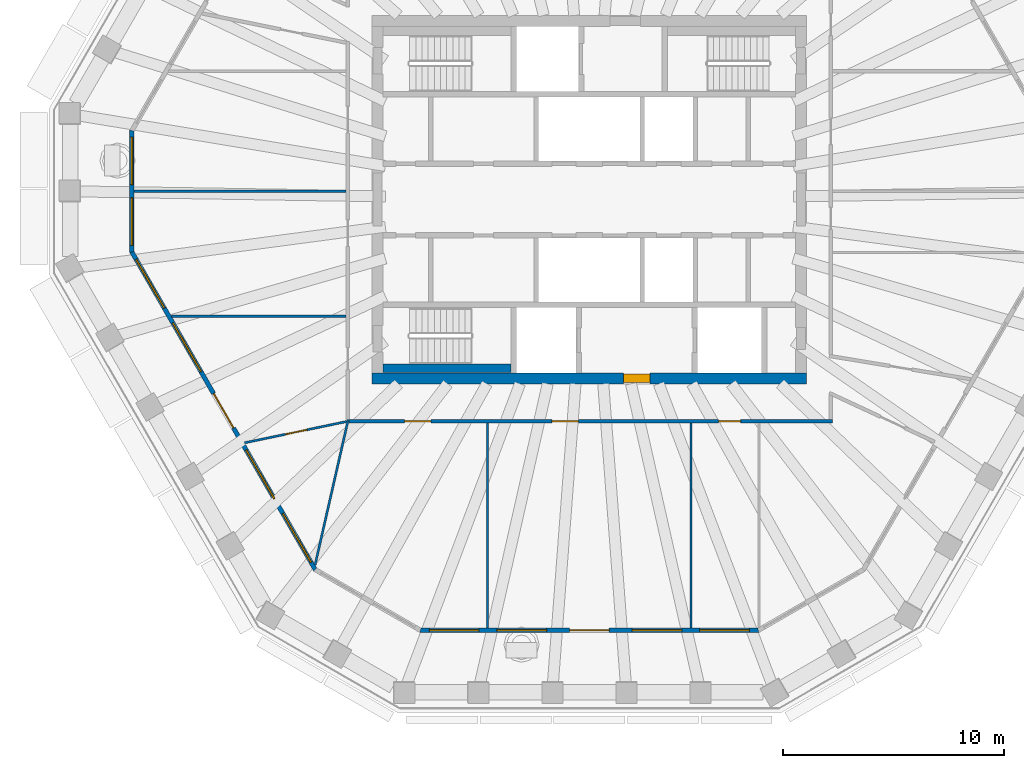
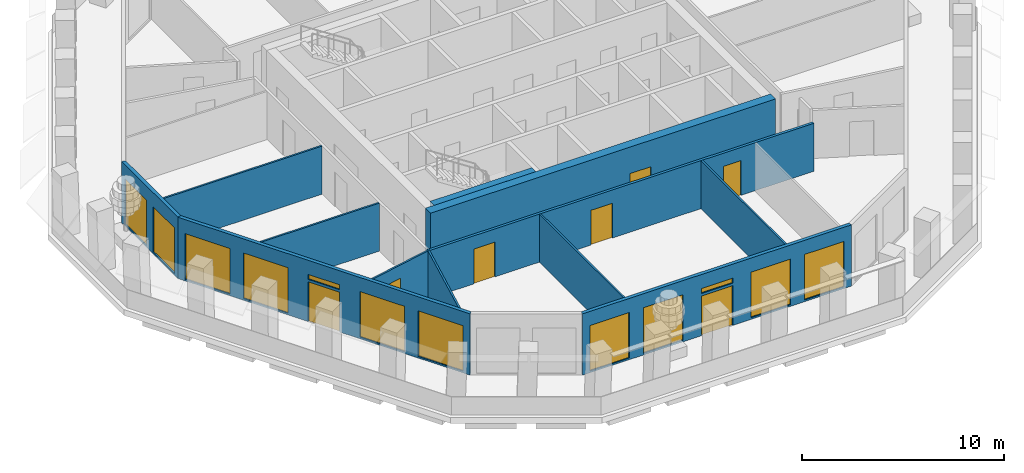
# One storey, part 3 of 11: 12 walls, 12 windows, 7 doors, 19 openings.
"""IFC4 building model written with IfcOpenShell, lengths in metres."""

from ifc_helpers import new_model, si_unit, direction, frame, frame_2d, origin, place, context, subcontext, project, spatial, polyline, rectangle, outline, extrude, material, layer, layer_set, type_object, element, fill, save


model = new_model("IFC4")

# Units and contexts
model_context = context("Model", 3, precision=1e-05, world=origin(), true_north=direction((0.0, 1.0)))
body_context = subcontext(model_context, "Body", "Model", "MODEL_VIEW")
ifc_project = project(units=[si_unit("LENGTHUNIT", "METRE"), si_unit("AREAUNIT", "SQUARE_METRE"), si_unit("VOLUMEUNIT", "CUBIC_METRE"), si_unit("PLANEANGLEUNIT", "RADIAN"), si_unit("MASSUNIT", "GRAM", prefix="KILO")], contexts=[model_context])

# Site, building, storey
site_placement = place(None, origin())
site = spatial("IfcSite", under=ifc_project, at=site_placement, CompositionType="ELEMENT")
building_placement = place(site_placement, origin())
building = spatial("IfcBuilding", under=site, at=building_placement, Name="Frailejon Research Tower", CompositionType="ELEMENT")
storey_placement = place(building_placement, frame((0.0, 0.0, 275.0)))
storey = spatial("IfcBuildingStorey", under=building, at=storey_placement, Name="L60", CompositionType="ELEMENT", Elevation=275.0)

# Wall, opening, door
ifc_material_1 = material(Name="Concrete C50/60", Category="concrete")
ifc_layer_1 = layer(ifc_material_1, 0.5)
ifc_layer_set_1 = layer_set([ifc_layer_1], Name="Core shear wall 500 C50/60")
wall_type_1 = type_object("IfcWallType", Name="Core shear wall 500 C50/60", PredefinedType="SHEAR", material=ifc_layer_set_1)
wall_1_placement = place(storey_placement, frame((-9.85009765625, -8.10009765625, 0.0), z_axis=(0.0, 0.0, 1.0), x_axis=(1.0, 0.0, 0.0)))
wall_1 = element("IfcWall", 1, at=wall_1_placement, inside=storey, type_object=wall_type_1, Name="Core shear wall", PredefinedType="SHEAR", context=body_context, shape_type="SweptSolid", body=[
    extrude(rectangle(XDim=19.7001953125, YDim=0.5, at=frame_2d((9.85009765625, 0.0))), origin(), (0.0, 0.0, 1.0), 3.699951171875),
])
opening_1_placement = place(wall_1_placement, frame((11.39990234375, 0.0, 0.0)))
opening_1 = element("IfcOpeningElement", 2, at=opening_1_placement, cuts=wall_1, Name="Opening D3", PredefinedType="OPENING", context=body_context, shape_type="SweptSolid", body=[
    extrude(rectangle(XDim=1.199951171875, YDim=2.10009765625, at=frame_2d((0.60009765625, 1.050048828125))), frame((0.0, 0.260009765625, 0.0), z_axis=(0.0, -1.0, 0.0), x_axis=(1.0, 0.0, 0.0)), (0.0, 0.0, 1.0), 0.52001953125),
])
ifc_material_2 = material(Name="Steel", Category="steel")
door_type_1 = type_object("IfcDoorType", Name="Firefighting lobby door", OperationType="SINGLE_SWING_LEFT", PredefinedType="DOOR", material=ifc_material_2)
door_1_placement = place(opening_1_placement, origin())
door_1 = element("IfcDoor", 3, at=door_1_placement, inside=storey, type_object=door_type_1, Name="Firefighting lobby door", OperationType="SINGLE_SWING_LEFT", OverallHeight=2.10009765625, OverallWidth=1.199951171875, PredefinedType="DOOR", context=body_context, shape_type="SweptSolid", body=[
    extrude(rectangle(XDim=1.199951171875, YDim=2.10009765625, at=frame_2d((0.60009765625, 1.050048828125))), frame((0.0, 0.199951171875, 0.0), z_axis=(0.0, -1.0, 0.0), x_axis=(1.0, 0.0, 0.0)), (0.0, 0.0, 1.0), 0.39990234375),
])
fill(opening_1, door_1)

# Wall, openings, doors
ifc_material_3 = material(Name="Gypsum board and masonry partition", Category="masonry")
ifc_layer_2 = layer(ifc_material_3, 0.14990234375)
ifc_layer_set_2 = layer_set([ifc_layer_2], Name="Corridor wall EI 60, gypsum on steel studs 150")
wall_type_2 = type_object("IfcWallType", Name="Corridor wall EI 60, gypsum on steel studs 150", PredefinedType="PARTITIONING", material=ifc_layer_set_2)
wall_2_placement = place(storey_placement, frame((-10.89990234375, -10.050048828125, 0.0), z_axis=(0.0, 0.0, 1.0), x_axis=(1.0, 0.0, 0.0)))
wall_2 = element("IfcWall", 4, at=wall_2_placement, inside=storey, type_object=wall_type_2, Name="T:IW:L60:008", PredefinedType="PARTITIONING", context=body_context, shape_type="SweptSolid", body=[
    extrude(rectangle(XDim=21.9248046875, YDim=0.14990234375, at=frame_2d((10.96240234375, 0.0))), origin(), (0.0, 0.0, 1.0), 2.89990234375),
])
opening_2_placement = place(wall_2_placement, frame((2.5185546875, 0.0, 0.0)))
opening_2 = element("IfcOpeningElement", 5, at=opening_2_placement, cuts=wall_2, Name="Opening D2163", PredefinedType="OPENING", context=body_context, shape_type="SweptSolid", body=[
    extrude(rectangle(XDim=1.199951171875, YDim=2.10009765625, at=frame_2d((0.60009765625, 1.050048828125))), frame((0.0, 0.0849609375, 0.0), z_axis=(0.0, -1.0, 0.0), x_axis=(1.0, 0.0, 0.0)), (0.0, 0.0, 1.0), 0.169921875),
])
opening_3_placement = place(wall_2_placement, frame((9.201171875, 0.0, 0.0)))
opening_3 = element("IfcOpeningElement", 6, at=opening_3_placement, cuts=wall_2, Name="Opening D2164", PredefinedType="OPENING", context=body_context, shape_type="SweptSolid", body=[
    extrude(rectangle(XDim=1.199951171875, YDim=2.10009765625, at=frame_2d((0.60009765625, 1.050048828125))), frame((0.0, 0.0849609375, 0.0), z_axis=(0.0, -1.0, 0.0), x_axis=(1.0, 0.0, 0.0)), (0.0, 0.0, 1.0), 0.169921875),
])
opening_4_placement = place(wall_2_placement, frame((16.756591796875, 0.0, 0.0)))
opening_4 = element("IfcOpeningElement", 7, at=opening_4_placement, cuts=wall_2, Name="Opening D2165", PredefinedType="OPENING", context=body_context, shape_type="SweptSolid", body=[
    extrude(rectangle(XDim=1.0, YDim=2.10009765625, at=frame_2d((0.5, 1.050048828125))), frame((0.0, 0.0849609375, 0.0), z_axis=(0.0, -1.0, 0.0), x_axis=(1.0, 0.0, 0.0)), (0.0, 0.0, 1.0), 0.169921875),
])
ifc_material_4 = material(Name="Timber door leaf", Category="wood")
door_type_2 = type_object("IfcDoorType", Name="Door single leaf, timber, steel frame 1000", OperationType="NOTDEFINED", PredefinedType="DOOR", material=ifc_material_4)
door_2_placement = place(opening_4_placement, origin())
door_2 = element("IfcDoor", 8, at=door_2_placement, inside=storey, type_object=door_type_2, Name="D2165", OperationType="SINGLE_SWING_LEFT", OverallHeight=2.10009765625, OverallWidth=1.0, PredefinedType="DOOR", context=body_context, shape_type="SweptSolid", body=[
    extrude(rectangle(XDim=1.0, YDim=2.10009765625, at=frame_2d((0.5, 1.050048828125))), frame((0.0, 0.02490234375, 0.0), z_axis=(0.0, -1.0, 0.0), x_axis=(1.0, 0.0, 0.0)), (0.0, 0.0, 1.0), 0.050048828125),
])
fill(opening_4, door_2)
ifc_material_5 = material(Name="Timber door leaf", Category="wood")
door_type_3 = type_object("IfcDoorType", Name="Door single leaf, timber, steel frame 1200", OperationType="NOTDEFINED", PredefinedType="DOOR", material=ifc_material_5)
door_3_placement = place(opening_2_placement, origin())
door_3 = element("IfcDoor", 9, at=door_3_placement, inside=storey, type_object=door_type_3, Name="D2163", OperationType="DOUBLE_DOOR_SINGLE_SWING", OverallHeight=2.10009765625, OverallWidth=1.199951171875, PredefinedType="DOOR", context=body_context, shape_type="SweptSolid", body=[
    extrude(rectangle(XDim=1.199951171875, YDim=2.10009765625, at=frame_2d((0.60009765625, 1.050048828125))), frame((0.0, 0.02490234375, 0.0), z_axis=(0.0, -1.0, 0.0), x_axis=(1.0, 0.0, 0.0)), (0.0, 0.0, 1.0), 0.050048828125),
])
fill(opening_2, door_3)
door_4_placement = place(opening_3_placement, origin())
door_4 = element("IfcDoor", 10, at=door_4_placement, inside=storey, type_object=door_type_3, Name="D2164", OperationType="DOUBLE_DOOR_SINGLE_SWING", OverallHeight=2.10009765625, OverallWidth=1.199951171875, PredefinedType="DOOR", context=body_context, shape_type="SweptSolid", body=[
    extrude(rectangle(XDim=1.199951171875, YDim=2.10009765625, at=frame_2d((0.60009765625, 1.050048828125))), frame((0.0, 0.02490234375, 0.0), z_axis=(0.0, -1.0, 0.0), x_axis=(1.0, 0.0, 0.0)), (0.0, 0.0, 1.0), 0.050048828125),
])
fill(opening_3, door_4)

# Walls
ifc_material_6 = material(Name="Gypsum board and masonry partition", Category="masonry")
ifc_layer_3 = layer(ifc_material_6, 0.10009765625)
ifc_layer_set_3 = layer_set([ifc_layer_3], Name="Partition, gypsum on steel studs 100")
wall_type_3 = type_object("IfcWallType", Name="Partition, gypsum on steel studs 100", PredefinedType="PARTITIONING", material=ifc_layer_set_3)
wall_3_placement = place(storey_placement, frame((-20.6416015625, 0.377197265625, 0.0), z_axis=(0.0, 0.0, 1.0), x_axis=(1.0, 0.0, 0.0)))
element("IfcWall", 11, at=wall_3_placement, inside=storey, type_object=wall_type_3, Name="T:IW:L60:013", PredefinedType="PARTITIONING", context=body_context, shape_type="SweptSolid", body=[
    extrude(rectangle(XDim=9.61669921875, YDim=0.10009765625, at=frame_2d((4.808349609375, 0.0))), origin(), (0.0, 0.0, 1.0), 2.89990234375),
])
wall_4_placement = place(storey_placement, frame((-18.9423828125, -5.290771484375, 0.0), z_axis=(0.0, 0.0, 1.0), x_axis=(1.0, 0.0, 0.0)))
element("IfcWall", 12, at=wall_4_placement, inside=storey, type_object=wall_type_3, Name="T:IW:L60:020", PredefinedType="PARTITIONING", context=body_context, shape_type="SweptSolid", body=[
    extrude(rectangle(XDim=7.91748046875, YDim=0.10009765625, at=frame_2d((3.958740234375, 0.0))), origin(), (0.0, 0.0, 1.0), 2.89990234375),
])

# Wall, opening, door
wall_5_placement = place(storey_placement, frame((-15.630859375, -11.026611328125, 0.0), z_axis=(0.0, 0.0, 1.0), x_axis=(0.978925870139, 0.204215917041, 0.0)))
wall_5 = element("IfcWall", 13, at=wall_5_placement, inside=storey, type_object=wall_type_3, Name="T:IW:L60:021", PredefinedType="PARTITIONING", context=body_context, shape_type="SweptSolid", body=[
    extrude(rectangle(XDim=4.731689453125, YDim=0.10009765625, at=frame_2d((2.36572265625, 0.0))), origin(), (0.0, 0.0, 1.0), 2.89990234375),
])
opening_5_placement = place(wall_5_placement, frame((1.890869140625, 0.0, 0.0)))
opening_5 = element("IfcOpeningElement", 14, at=opening_5_placement, cuts=wall_5, Name="Opening D2162", PredefinedType="OPENING", context=body_context, shape_type="SweptSolid", body=[
    extrude(rectangle(XDim=1.0, YDim=2.10009765625, at=frame_2d((0.5, 1.050048828125))), frame((0.0, 0.06005859375, 0.0), z_axis=(0.0, -1.0, 0.0), x_axis=(1.0, 0.0, 0.0)), (0.0, 0.0, 1.0), 0.1201171875),
])
door_5_placement = place(opening_5_placement, origin())
door_5 = element("IfcDoor", 15, at=door_5_placement, inside=storey, type_object=door_type_2, Name="D2162", OperationType="SINGLE_SWING_LEFT", OverallHeight=2.10009765625, OverallWidth=1.0, PredefinedType="DOOR", context=body_context, shape_type="SweptSolid", body=[
    extrude(rectangle(XDim=1.0, YDim=2.10009765625, at=frame_2d((0.5, 1.050048828125))), frame((0.0, 0.02490234375, 0.0), z_axis=(0.0, -1.0, 0.0), x_axis=(1.0, 0.0, 0.0)), (0.0, 0.0, 1.0), 0.050048828125),
])
fill(opening_5, door_5)

# Walls
wall_6_placement = place(storey_placement, frame((-12.43505859375, -16.56201171875, 0.0), z_axis=(0.0, 0.0, 1.0), x_axis=(0.222335019578, 0.974970327276, 0.0)))
element("IfcWall", 16, at=wall_6_placement, inside=storey, type_object=wall_type_3, Name="T:IW:L60:022", PredefinedType="PARTITIONING", context=body_context, shape_type="SweptSolid", body=[
    extrude(rectangle(XDim=6.754150390625, YDim=0.10009765625, at=frame_2d((3.376953125, 0.0))), origin(), (0.0, 0.0, 1.0), 2.89990234375),
])
for number, where, z_axis, x_axis, name in (
    (17, (-4.61279296875, -19.427001953125, 0.0), (0.0, 0.0, 1.0), (0.0, 1.0, 0.0), "T:IW:L60:023"),
    (18, (4.61279296875, -19.427001953125, 0.0), (0.0, 0.0, 1.0), (0.0, 1.0, 0.0), "T:IW:L60:024"),
):
    element("IfcWall", number, at=place(storey_placement, frame(where, z_axis=z_axis, x_axis=x_axis)), inside=storey, type_object=wall_type_3, Name=name, PredefinedType="PARTITIONING", context=body_context, shape_type="SweptSolid", body=[
        extrude(rectangle(XDim=9.302001953125, YDim=0.10009765625, at=frame_2d((4.65087890625, 0.0))), origin(), (0.0, 0.0, 1.0), 2.89990234375),
    ])
ifc_material_7 = material(Name="Concrete C50/60", Category="concrete")
ifc_layer_4 = layer(ifc_material_7, 0.39990234375)
ifc_layer_set_4 = layer_set([ifc_layer_4], Name="Shaft wall 400 C50/60")
wall_type_4 = type_object("IfcWallType", Name="Shaft wall 400 C50/60", PredefinedType="SOLIDWALL", material=ifc_layer_set_4)
wall_7_placement = place(storey_placement, frame((-9.35009765625, -7.64990234375, 0.0), z_axis=(0.0, 0.0, 1.0), x_axis=(1.0, 0.0, 0.0)))
element("IfcWall", 19, at=wall_7_placement, inside=storey, type_object=wall_type_4, Name="Shaft wall", PredefinedType="SOLIDWALL", context=body_context, shape_type="SweptSolid", body=[
    extrude(rectangle(XDim=5.800048828125, YDim=0.39990234375, at=frame_2d((2.89990234375, 0.0))), origin(), (0.0, 0.0, 1.0), 3.699951171875),
])

# Wall, openings, windows
ifc_material_8 = material(Name="Concrete C40/50 precast window wall panel", Category="concrete")
ifc_layer_5 = layer(ifc_material_8, 0.199951171875)
ifc_layer_set_5 = layer_set([ifc_layer_5], Name="Window wall 200")
wall_type_5 = type_object("IfcWallType", Name="Window wall 200", PredefinedType="SOLIDWALL", material=ifc_layer_set_5)
wall_8_placement = place(storey_placement, frame((-20.741455078125, 3.12890625, 0.0), z_axis=(0.0, 0.0, 1.0), x_axis=(0.0, -1.0, 0.0)))
wall_8 = element("IfcWall", 20, at=wall_8_placement, inside=storey, type_object=wall_type_5, Name="Exterior wall L60", PredefinedType="SOLIDWALL", context=body_context, shape_type="SweptSolid", body=[
    extrude(outline(polyline([(-0.02685546875, -0.10009765625), (1.08447265625, -0.10009765625), (2.196044921875, -0.10009765625), (3.307373046875, -0.10009765625), (4.4189453125, -0.10009765625), (5.5302734375, -0.10009765625), (5.4765625, 0.10009765625), (4.38671875, 0.10009765625), (3.296630859375, 0.10009765625), (2.206787109375, 0.10009765625), (1.11669921875, 0.10009765625), (0.02685546875, 0.10009765625), (-0.02685546875, -0.10009765625)])), origin(), (0.0, 0.0, 1.0), 3.699951171875),
])
opening_6_placement = place(wall_8_placement, frame((0.30078125, 0.0, 0.10009765625)))
opening_6 = element("IfcOpeningElement", 21, at=opening_6_placement, cuts=wall_8, Name="Opening W22", PredefinedType="OPENING", context=body_context, shape_type="SweptSolid", body=[
    extrude(rectangle(XDim=2.14990234375, YDim=2.75, at=frame_2d((1.074951171875, 1.375))), frame((0.0, 0.10986328125, 0.0), z_axis=(0.0, -1.0, 0.0), x_axis=(1.0, 0.0, 0.0)), (0.0, 0.0, 1.0), 0.219970703125),
])
opening_7_placement = place(wall_8_placement, frame((3.052490234375, 0.0, 0.10009765625)))
opening_7 = element("IfcOpeningElement", 22, at=opening_7_placement, cuts=wall_8, Name="Opening W22", PredefinedType="OPENING", context=body_context, shape_type="SweptSolid", body=[
    extrude(rectangle(XDim=2.14990234375, YDim=2.75, at=frame_2d((1.074951171875, 1.375))), frame((0.0, 0.10986328125, 0.0), z_axis=(0.0, -1.0, 0.0), x_axis=(1.0, 0.0, 0.0)), (0.0, 0.0, 1.0), 0.219970703125),
])
ifc_material_9 = material(Name="Aluminium framed double glazing", Category="aluminium")
window_type_1 = type_object("IfcWindowType", Name="Window 2150x2750", PartitioningType="SINGLE_PANEL", PredefinedType="WINDOW", material=ifc_material_9)
window_1_placement = place(opening_6_placement, origin())
window_1 = element("IfcWindow", 23, at=window_1_placement, inside=storey, type_object=window_type_1, Name="Window L60", OverallHeight=2.75, OverallWidth=2.14990234375, PartitioningType="SINGLE_PANEL", PredefinedType="WINDOW", context=body_context, shape_type="SweptSolid", body=[
    extrude(rectangle(XDim=2.14990234375, YDim=2.75, at=frame_2d((1.074951171875, 1.375))), frame((0.0, 0.030029296875, 0.0), z_axis=(0.0, -1.0, 0.0), x_axis=(1.0, 0.0, 0.0)), (0.0, 0.0, 1.0), 0.06005859375),
])
fill(opening_6, window_1)
window_2_placement = place(opening_7_placement, origin())
window_2 = element("IfcWindow", 24, at=window_2_placement, inside=storey, type_object=window_type_1, Name="Window L60", OverallHeight=2.75, OverallWidth=2.14990234375, PartitioningType="SINGLE_PANEL", PredefinedType="WINDOW", context=body_context, shape_type="SweptSolid", body=[
    extrude(rectangle(XDim=2.14990234375, YDim=2.75, at=frame_2d((1.074951171875, 1.375))), frame((0.0, 0.030029296875, 0.0), z_axis=(0.0, -1.0, 0.0), x_axis=(1.0, 0.0, 0.0)), (0.0, 0.0, 1.0), 0.06005859375),
])
fill(opening_7, window_2)

# Wall, openings, door, windows
wall_9_placement = place(storey_placement, frame((-20.741455078125, -2.37451171875, 0.0), z_axis=(0.0, 0.0, 1.0), x_axis=(0.499993580544, -0.866029110027, 0.0)))
wall_9 = element("IfcWall", 25, at=wall_9_placement, inside=storey, type_object=wall_type_5, Name="Exterior wall L60", PredefinedType="SOLIDWALL", context=body_context, shape_type="SweptSolid", body=[
    extrude(outline(polyline([(-0.02685546875, -0.10009765625), (1.015869140625, -0.10009765625), (2.058349609375, -0.10009765625), (3.10107421875, -0.10009765625), (4.143798828125, -0.10009765625), (5.186279296875, -0.10009765625), (6.22900390625, -0.10009765625), (7.271728515625, -0.10009765625), (8.314453125, -0.10009765625), (9.35693359375, -0.10009765625), (10.399658203125, -0.10009765625), (11.4423828125, -0.10009765625), (12.48486328125, -0.10009765625), (13.527587890625, -0.10009765625), (14.5703125, -0.10009765625), (15.61279296875, -0.10009765625), (16.655517578125, -0.10009765625), (16.601806640625, 0.10009765625), (15.56591796875, 0.10009765625), (14.530029296875, 0.10009765625), (13.493896484375, 0.10009765625), (12.4580078125, 0.10009765625), (11.422119140625, 0.10009765625), (10.38623046875, 0.10009765625), (9.350341796875, 0.10009765625), (8.314453125, 0.10009765625), (7.2783203125, 0.10009765625), (6.242431640625, 0.10009765625), (5.20654296875, 0.10009765625), (4.170654296875, 0.10009765625), (3.134765625, 0.10009765625), (2.0986328125, 0.10009765625), (1.062744140625, 0.10009765625), (0.02685546875, 0.10009765625), (-0.02685546875, -0.10009765625)])), origin(), (0.0, 0.0, 1.0), 3.699951171875),
])
opening_8_placement = place(wall_9_placement, frame((0.387939453125, 0.0, 0.10009765625)))
opening_8 = element("IfcOpeningElement", 26, at=opening_8_placement, cuts=wall_9, Name="Opening W25", PredefinedType="OPENING", context=body_context, shape_type="SweptSolid", body=[
    extrude(rectangle(XDim=2.550048828125, YDim=2.75, at=frame_2d((1.27490234375, 1.375))), frame((0.0, 0.10986328125, 0.0), z_axis=(0.0, -1.0, 0.0), x_axis=(1.0, 0.0, 0.0)), (0.0, 0.0, 1.0), 0.219970703125),
])
opening_9_placement = place(wall_9_placement, frame((3.713623046875, 0.0, 0.10009765625)))
opening_9 = element("IfcOpeningElement", 27, at=opening_9_placement, cuts=wall_9, Name="Opening W25", PredefinedType="OPENING", context=body_context, shape_type="SweptSolid", body=[
    extrude(rectangle(XDim=2.550048828125, YDim=2.75, at=frame_2d((1.27490234375, 1.375))), frame((0.0, 0.10986328125, 0.0), z_axis=(0.0, -1.0, 0.0), x_axis=(1.0, 0.0, 0.0)), (0.0, 0.0, 1.0), 0.219970703125),
])
opening_10_placement = place(wall_9_placement, frame((7.414306640625, 0.0, 0.0)))
opening_10 = element("IfcOpeningElement", 28, at=opening_10_placement, cuts=wall_9, Name="Opening LG60-4", PredefinedType="OPENING", context=body_context, shape_type="SweptSolid", body=[
    extrude(rectangle(XDim=1.800048828125, YDim=2.39990234375, at=frame_2d((0.89990234375, 1.199951171875))), frame((0.0, 0.10986328125, 0.0), z_axis=(0.0, -1.0, 0.0), x_axis=(1.0, 0.0, 0.0)), (0.0, 0.0, 1.0), 0.219970703125),
])
opening_11_placement = place(wall_9_placement, frame((7.414306640625, 0.0, 2.550048828125)))
opening_11 = element("IfcOpeningElement", 29, at=opening_11_placement, cuts=wall_9, Name="Opening W24", PredefinedType="OPENING", context=body_context, shape_type="SweptSolid", body=[
    extrude(rectangle(XDim=1.800048828125, YDim=0.300048828125, at=frame_2d((0.89990234375, 0.14990234375))), frame((0.0, 0.10986328125, 0.0), z_axis=(0.0, -1.0, 0.0), x_axis=(1.0, 0.0, 0.0)), (0.0, 0.0, 1.0), 0.219970703125),
])
opening_12_placement = place(wall_9_placement, frame((10.364990234375, 0.0, 0.10009765625)))
opening_12 = element("IfcOpeningElement", 30, at=opening_12_placement, cuts=wall_9, Name="Opening W25", PredefinedType="OPENING", context=body_context, shape_type="SweptSolid", body=[
    extrude(rectangle(XDim=2.550048828125, YDim=2.75, at=frame_2d((1.27490234375, 1.375))), frame((0.0, 0.10986328125, 0.0), z_axis=(0.0, -1.0, 0.0), x_axis=(1.0, 0.0, 0.0)), (0.0, 0.0, 1.0), 0.219970703125),
])
opening_13_placement = place(wall_9_placement, frame((13.69091796875, 0.0, 0.10009765625)))
opening_13 = element("IfcOpeningElement", 31, at=opening_13_placement, cuts=wall_9, Name="Opening W25", PredefinedType="OPENING", context=body_context, shape_type="SweptSolid", body=[
    extrude(rectangle(XDim=2.550048828125, YDim=2.75, at=frame_2d((1.27490234375, 1.375))), frame((0.0, 0.10986328125, 0.0), z_axis=(0.0, -1.0, 0.0), x_axis=(1.0, 0.0, 0.0)), (0.0, 0.0, 1.0), 0.219970703125),
])
ifc_material_10 = material(Name="Aluminium framed glazed door leaf", Category="aluminium")
door_type_4 = type_object("IfcDoorType", Name="Loggia door 1800x2400", OperationType="DOUBLE_DOOR_SINGLE_SWING", PredefinedType="DOOR", material=ifc_material_10)
door_6_placement = place(opening_10_placement, origin())
door_6 = element("IfcDoor", 32, at=door_6_placement, inside=storey, type_object=door_type_4, Name="Door LG60-4", OperationType="DOUBLE_DOOR_SINGLE_SWING", OverallHeight=2.39990234375, OverallWidth=1.800048828125, PredefinedType="DOOR", context=body_context, shape_type="SweptSolid", body=[
    extrude(rectangle(XDim=1.800048828125, YDim=2.39990234375, at=frame_2d((0.89990234375, 1.199951171875))), frame((0.0, 0.02490234375, 0.0), z_axis=(0.0, -1.0, 0.0), x_axis=(1.0, 0.0, 0.0)), (0.0, 0.0, 1.0), 0.050048828125),
])
fill(opening_10, door_6)
ifc_material_11 = material(Name="Aluminium framed double glazing", Category="aluminium")
window_type_2 = type_object("IfcWindowType", Name="Window 1800x300", PartitioningType="SINGLE_PANEL", PredefinedType="WINDOW", material=ifc_material_11)
window_3_placement = place(opening_11_placement, origin())
window_3 = element("IfcWindow", 33, at=window_3_placement, inside=storey, type_object=window_type_2, Name="Window L60", OverallHeight=0.300048828125, OverallWidth=1.800048828125, PartitioningType="SINGLE_PANEL", PredefinedType="WINDOW", context=body_context, shape_type="SweptSolid", body=[
    extrude(rectangle(XDim=1.800048828125, YDim=0.300048828125, at=frame_2d((0.89990234375, 0.14990234375))), frame((0.0, 0.030029296875, 0.0), z_axis=(0.0, -1.0, 0.0), x_axis=(1.0, 0.0, 0.0)), (0.0, 0.0, 1.0), 0.06005859375),
])
fill(opening_11, window_3)
ifc_material_12 = material(Name="Aluminium framed double glazing", Category="aluminium")
window_type_3 = type_object("IfcWindowType", Name="Window 2550x2750", PartitioningType="SINGLE_PANEL", PredefinedType="WINDOW", material=ifc_material_12)
window_4_placement = place(opening_8_placement, origin())
window_4 = element("IfcWindow", 34, at=window_4_placement, inside=storey, type_object=window_type_3, Name="Window L60", OverallHeight=2.75, OverallWidth=2.550048828125, PartitioningType="SINGLE_PANEL", PredefinedType="WINDOW", context=body_context, shape_type="SweptSolid", body=[
    extrude(rectangle(XDim=2.550048828125, YDim=2.75, at=frame_2d((1.27490234375, 1.375))), frame((0.0, 0.030029296875, 0.0), z_axis=(0.0, -1.0, 0.0), x_axis=(1.0, 0.0, 0.0)), (0.0, 0.0, 1.0), 0.06005859375),
])
fill(opening_8, window_4)
window_5_placement = place(opening_9_placement, origin())
window_5 = element("IfcWindow", 35, at=window_5_placement, inside=storey, type_object=window_type_3, Name="Window L60", OverallHeight=2.75, OverallWidth=2.550048828125, PartitioningType="SINGLE_PANEL", PredefinedType="WINDOW", context=body_context, shape_type="SweptSolid", body=[
    extrude(rectangle(XDim=2.550048828125, YDim=2.75, at=frame_2d((1.27490234375, 1.375))), frame((0.0, 0.030029296875, 0.0), z_axis=(0.0, -1.0, 0.0), x_axis=(1.0, 0.0, 0.0)), (0.0, 0.0, 1.0), 0.06005859375),
])
fill(opening_9, window_5)
window_6_placement = place(opening_12_placement, origin())
window_6 = element("IfcWindow", 36, at=window_6_placement, inside=storey, type_object=window_type_3, Name="Window L60", OverallHeight=2.75, OverallWidth=2.550048828125, PartitioningType="SINGLE_PANEL", PredefinedType="WINDOW", context=body_context, shape_type="SweptSolid", body=[
    extrude(rectangle(XDim=2.550048828125, YDim=2.75, at=frame_2d((1.27490234375, 1.375))), frame((0.0, 0.030029296875, 0.0), z_axis=(0.0, -1.0, 0.0), x_axis=(1.0, 0.0, 0.0)), (0.0, 0.0, 1.0), 0.06005859375),
])
fill(opening_12, window_6)
window_7_placement = place(opening_13_placement, origin())
window_7 = element("IfcWindow", 37, at=window_7_placement, inside=storey, type_object=window_type_3, Name="Window L60", OverallHeight=2.75, OverallWidth=2.550048828125, PartitioningType="SINGLE_PANEL", PredefinedType="WINDOW", context=body_context, shape_type="SweptSolid", body=[
    extrude(rectangle(XDim=2.550048828125, YDim=2.75, at=frame_2d((1.27490234375, 1.375))), frame((0.0, 0.030029296875, 0.0), z_axis=(0.0, -1.0, 0.0), x_axis=(1.0, 0.0, 0.0)), (0.0, 0.0, 1.0), 0.06005859375),
])
fill(opening_13, window_7)

wall_10_placement = place(storey_placement, frame((-7.6611328125, -19.527099609375, 0.0), z_axis=(0.0, 0.0, 1.0), x_axis=(1.0, 0.0, 0.0)))
wall_10 = element("IfcWall", 38, at=wall_10_placement, inside=storey, type_object=wall_type_5, Name="Exterior wall L60", PredefinedType="SOLIDWALL", context=body_context, shape_type="SweptSolid", body=[
    extrude(outline(polyline([(-0.02685546875, -0.10009765625), (0.998291015625, -0.10009765625), (2.023193359375, -0.10009765625), (3.04833984375, -0.10009765625), (4.073486328125, -0.10009765625), (5.098388671875, -0.10009765625), (6.12353515625, -0.10009765625), (7.148681640625, -0.10009765625), (8.173583984375, -0.10009765625), (9.19873046875, -0.10009765625), (10.223876953125, -0.10009765625), (11.248779296875, -0.10009765625), (12.27392578125, -0.10009765625), (13.299072265625, -0.10009765625), (14.323974609375, -0.10009765625), (15.34912109375, -0.10009765625), (15.29541015625, 0.10009765625), (14.277587890625, 0.10009765625), (13.259521484375, 0.10009765625), (12.24169921875, 0.10009765625), (11.223876953125, 0.10009765625), (10.205810546875, 0.10009765625), (9.18798828125, 0.10009765625), (8.170166015625, 0.10009765625), (7.152099609375, 0.10009765625), (6.13427734375, 0.10009765625), (5.116455078125, 0.10009765625), (4.098388671875, 0.10009765625), (3.08056640625, 0.10009765625), (2.062744140625, 0.10009765625), (1.044677734375, 0.10009765625), (0.02685546875, 0.10009765625), (-0.02685546875, -0.10009765625)])), origin(), (0.0, 0.0, 1.0), 3.699951171875),
])
opening_14_placement = place(wall_10_placement, frame((0.4072265625, 0.0, 0.10009765625)))
opening_14 = element("IfcOpeningElement", 39, at=opening_14_placement, cuts=wall_10, Name="Opening W23", PredefinedType="OPENING", context=body_context, shape_type="SweptSolid", body=[
    extrude(rectangle(XDim=2.25, YDim=2.75, at=frame_2d((1.125, 1.375))), frame((0.0, 0.10986328125, 0.0), z_axis=(0.0, -1.0, 0.0), x_axis=(1.0, 0.0, 0.0)), (0.0, 0.0, 1.0), 0.219970703125),
])
opening_15_placement = place(wall_10_placement, frame((3.4716796875, 0.0, 0.10009765625)))
opening_15 = element("IfcOpeningElement", 40, at=opening_15_placement, cuts=wall_10, Name="Opening W23", PredefinedType="OPENING", context=body_context, shape_type="SweptSolid", body=[
    extrude(rectangle(XDim=2.25, YDim=2.75, at=frame_2d((1.125, 1.375))), frame((0.0, 0.10986328125, 0.0), z_axis=(0.0, -1.0, 0.0), x_axis=(1.0, 0.0, 0.0)), (0.0, 0.0, 1.0), 0.219970703125),
])
opening_16_placement = place(wall_10_placement, frame((6.760986328125, 0.0, 0.0)))
opening_16 = element("IfcOpeningElement", 41, at=opening_16_placement, cuts=wall_10, Name="Opening LG60-5", PredefinedType="OPENING", context=body_context, shape_type="SweptSolid", body=[
    extrude(rectangle(XDim=1.800048828125, YDim=2.39990234375, at=frame_2d((0.89990234375, 1.199951171875))), frame((0.0, 0.10986328125, 0.0), z_axis=(0.0, -1.0, 0.0), x_axis=(1.0, 0.0, 0.0)), (0.0, 0.0, 1.0), 0.219970703125),
])
opening_17_placement = place(wall_10_placement, frame((6.760986328125, 0.0, 2.550048828125)))
opening_17 = element("IfcOpeningElement", 42, at=opening_17_placement, cuts=wall_10, Name="Opening W24", PredefinedType="OPENING", context=body_context, shape_type="SweptSolid", body=[
    extrude(rectangle(XDim=1.800048828125, YDim=0.300048828125, at=frame_2d((0.89990234375, 0.14990234375))), frame((0.0, 0.10986328125, 0.0), z_axis=(0.0, -1.0, 0.0), x_axis=(1.0, 0.0, 0.0)), (0.0, 0.0, 1.0), 0.219970703125),
])
opening_18_placement = place(wall_10_placement, frame((9.6005859375, 0.0, 0.10009765625)))
opening_18 = element("IfcOpeningElement", 43, at=opening_18_placement, cuts=wall_10, Name="Opening W23", PredefinedType="OPENING", context=body_context, shape_type="SweptSolid", body=[
    extrude(rectangle(XDim=2.25, YDim=2.75, at=frame_2d((1.125, 1.375))), frame((0.0, 0.10986328125, 0.0), z_axis=(0.0, -1.0, 0.0), x_axis=(1.0, 0.0, 0.0)), (0.0, 0.0, 1.0), 0.219970703125),
])
opening_19_placement = place(wall_10_placement, frame((12.6650390625, 0.0, 0.10009765625)))
opening_19 = element("IfcOpeningElement", 44, at=opening_19_placement, cuts=wall_10, Name="Opening W23", PredefinedType="OPENING", context=body_context, shape_type="SweptSolid", body=[
    extrude(rectangle(XDim=2.25, YDim=2.75, at=frame_2d((1.125, 1.375))), frame((0.0, 0.10986328125, 0.0), z_axis=(0.0, -1.0, 0.0), x_axis=(1.0, 0.0, 0.0)), (0.0, 0.0, 1.0), 0.219970703125),
])
door_7_placement = place(opening_16_placement, origin())
door_7 = element("IfcDoor", 45, at=door_7_placement, inside=storey, type_object=door_type_4, Name="Door LG60-5", OperationType="DOUBLE_DOOR_SINGLE_SWING", OverallHeight=2.39990234375, OverallWidth=1.800048828125, PredefinedType="DOOR", context=body_context, shape_type="SweptSolid", body=[
    extrude(rectangle(XDim=1.800048828125, YDim=2.39990234375, at=frame_2d((0.89990234375, 1.199951171875))), frame((0.0, 0.02490234375, 0.0), z_axis=(0.0, -1.0, 0.0), x_axis=(1.0, 0.0, 0.0)), (0.0, 0.0, 1.0), 0.050048828125),
])
fill(opening_16, door_7)
window_8_placement = place(opening_17_placement, origin())
window_8 = element("IfcWindow", 46, at=window_8_placement, inside=storey, type_object=window_type_2, Name="Window L60", OverallHeight=0.300048828125, OverallWidth=1.800048828125, PartitioningType="SINGLE_PANEL", PredefinedType="WINDOW", context=body_context, shape_type="SweptSolid", body=[
    extrude(rectangle(XDim=1.800048828125, YDim=0.300048828125, at=frame_2d((0.89990234375, 0.14990234375))), frame((0.0, 0.030029296875, 0.0), z_axis=(0.0, -1.0, 0.0), x_axis=(1.0, 0.0, 0.0)), (0.0, 0.0, 1.0), 0.06005859375),
])
fill(opening_17, window_8)
ifc_material_13 = material(Name="Aluminium framed double glazing", Category="aluminium")
window_type_4 = type_object("IfcWindowType", Name="Window 2250x2750", PartitioningType="SINGLE_PANEL", PredefinedType="WINDOW", material=ifc_material_13)
window_9_placement = place(opening_14_placement, origin())
window_9 = element("IfcWindow", 47, at=window_9_placement, inside=storey, type_object=window_type_4, Name="Window L60", OverallHeight=2.75, OverallWidth=2.25, PartitioningType="SINGLE_PANEL", PredefinedType="WINDOW", context=body_context, shape_type="SweptSolid", body=[
    extrude(rectangle(XDim=2.25, YDim=2.75, at=frame_2d((1.125, 1.375))), frame((0.0, 0.030029296875, 0.0), z_axis=(0.0, -1.0, 0.0), x_axis=(1.0, 0.0, 0.0)), (0.0, 0.0, 1.0), 0.06005859375),
])
fill(opening_14, window_9)
window_10_placement = place(opening_15_placement, origin())
window_10 = element("IfcWindow", 48, at=window_10_placement, inside=storey, type_object=window_type_4, Name="Window L60", OverallHeight=2.75, OverallWidth=2.25, PartitioningType="SINGLE_PANEL", PredefinedType="WINDOW", context=body_context, shape_type="SweptSolid", body=[
    extrude(rectangle(XDim=2.25, YDim=2.75, at=frame_2d((1.125, 1.375))), frame((0.0, 0.030029296875, 0.0), z_axis=(0.0, -1.0, 0.0), x_axis=(1.0, 0.0, 0.0)), (0.0, 0.0, 1.0), 0.06005859375),
])
fill(opening_15, window_10)
window_11_placement = place(opening_18_placement, origin())
window_11 = element("IfcWindow", 49, at=window_11_placement, inside=storey, type_object=window_type_4, Name="Window L60", OverallHeight=2.75, OverallWidth=2.25, PartitioningType="SINGLE_PANEL", PredefinedType="WINDOW", context=body_context, shape_type="SweptSolid", body=[
    extrude(rectangle(XDim=2.25, YDim=2.75, at=frame_2d((1.125, 1.375))), frame((0.0, 0.030029296875, 0.0), z_axis=(0.0, -1.0, 0.0), x_axis=(1.0, 0.0, 0.0)), (0.0, 0.0, 1.0), 0.06005859375),
])
fill(opening_18, window_11)
window_12_placement = place(opening_19_placement, origin())
window_12 = element("IfcWindow", 50, at=window_12_placement, inside=storey, type_object=window_type_4, Name="Window L60", OverallHeight=2.75, OverallWidth=2.25, PartitioningType="SINGLE_PANEL", PredefinedType="WINDOW", context=body_context, shape_type="SweptSolid", body=[
    extrude(rectangle(XDim=2.25, YDim=2.75, at=frame_2d((1.125, 1.375))), frame((0.0, 0.030029296875, 0.0), z_axis=(0.0, -1.0, 0.0), x_axis=(1.0, 0.0, 0.0)), (0.0, 0.0, 1.0), 0.06005859375),
])
fill(opening_19, window_12)

save(model, "model.ifc")
